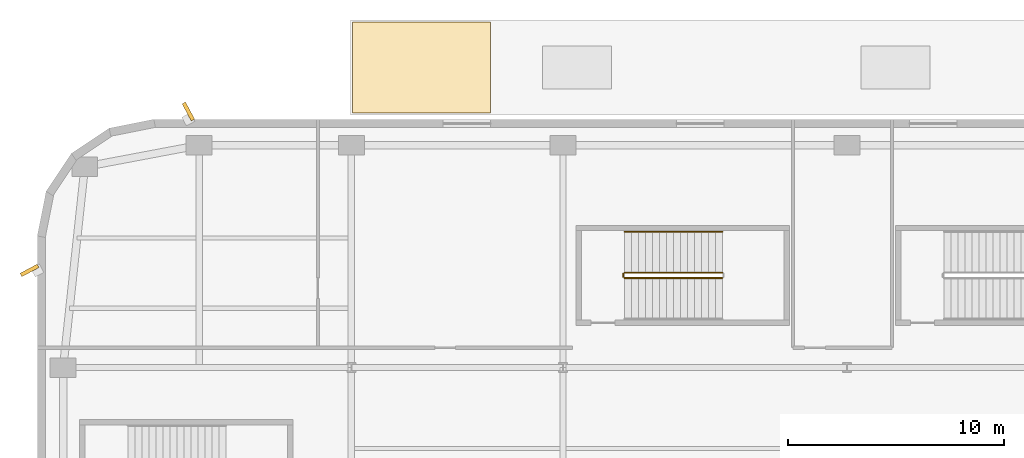
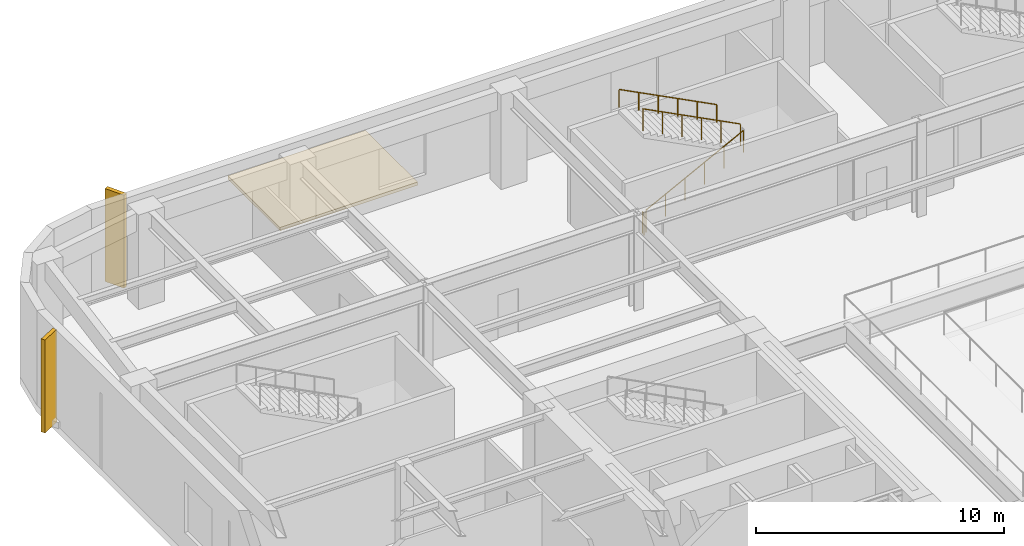
# One storey, part 20 of 24: 4 railings, 2 shading devices, 1 covering.
"""IFC4 building model written with IfcOpenShell, lengths in metres."""

from ifc_helpers import new_model, si_unit, direction, frame, origin, origin_2d, place, context, subcontext, project, spatial, polyline, rectangle, circle, outline, extrude, material, layer, layer_set, type_object, element, save


model = new_model("IFC4")

# Units and contexts
model_context = context("Model", 3, precision=1e-05, world=origin(), true_north=direction((0.0, 1.0)))
body_context = subcontext(model_context, "Body", "Model", "MODEL_VIEW")
ifc_project = project(units=[si_unit("LENGTHUNIT", "METRE"), si_unit("AREAUNIT", "SQUARE_METRE"), si_unit("VOLUMEUNIT", "CUBIC_METRE"), si_unit("PLANEANGLEUNIT", "RADIAN"), si_unit("MASSUNIT", "GRAM", prefix="KILO")], contexts=[model_context])

# Site, building, storey
site_placement = place(None, origin())
site = spatial("IfcSite", under=ifc_project, at=site_placement, CompositionType="ELEMENT")
building_placement = place(site_placement, origin())
building = spatial("IfcBuilding", under=site, at=building_placement, Name="Kolvaren Arena Tower", CompositionType="ELEMENT")
storey_placement = place(building_placement, frame((0.0, 0.0, 8.0)))
storey = spatial("IfcBuildingStorey", under=building, at=storey_placement, Name="L01", CompositionType="ELEMENT", Elevation=8.0)

# Railings
ifc_material_1 = material(Name="Painted galvanized steel", Category="steel")
railing_type_1 = type_object("IfcRailingType", Name="GUARD-ST-110", PredefinedType="GUARDRAIL", material=ifc_material_1)
railing_1_placement = place(storey_placement, frame((27.199951171875, 47.14990234375, 0.166748046875)))
element("IfcRailing", 1, at=railing_1_placement, inside=storey, type_object=railing_type_1, Name="L01 ST-A6 stair guard 1", PredefinedType="GUARDRAIL", context=body_context, shape_type="SweptSolid", body=[
    extrude(circle(Radius=0.02392578125, at=origin_2d()), frame((0.0, 0.0, 1.076171875), z_axis=(0.889257211316, 0.0, 0.457407490234), x_axis=(0.0, 1.0, 0.0)), (0.0, 0.0, 1.0), 5.10107421875),
    extrude(circle(Radius=0.02099609375, at=origin_2d()), origin(), (0.0, 0.0, 1.0), 1.052001953125),
    extrude(circle(Radius=0.02099609375, at=origin_2d()), frame((0.9072265625, 0.0, 0.466552734375)), (0.0, 0.0, 1.0), 1.052001953125),
    extrude(circle(Radius=0.02099609375, at=origin_2d()), frame((1.814453125, 0.0, 0.933349609375)), (0.0, 0.0, 1.0), 1.052001953125),
    extrude(circle(Radius=0.02099609375, at=origin_2d()), frame((2.7216796875, 0.0, 1.39990234375)), (0.0, 0.0, 1.0), 1.052001953125),
    extrude(circle(Radius=0.02099609375, at=origin_2d()), frame((3.62890625, 0.0, 1.86669921875)), (0.0, 0.0, 1.0), 1.052001953125),
    extrude(circle(Radius=0.02099609375, at=origin_2d()), frame((4.5361328125, 0.0, 2.333251953125)), (0.0, 0.0, 1.0), 1.052001953125),
])
railing_2_placement = place(storey_placement, frame((31.736083984375, 47.39990234375, 2.666748046875)))
element("IfcRailing", 2, at=railing_2_placement, inside=storey, type_object=railing_type_1, Name="L01 ST-A6 stair guard 3", PredefinedType="GUARDRAIL", context=body_context, shape_type="SweptSolid", body=[
    extrude(circle(Radius=0.02392578125, at=origin_2d()), frame((0.0, 0.0, 1.076171875), z_axis=(-0.889257211316, 0.0, 0.457407490234), x_axis=(0.0, -1.0, 0.0)), (0.0, 0.0, 1.0), 5.10107421875),
    extrude(circle(Radius=0.02099609375, at=origin_2d()), origin(), (0.0, 0.0, 1.0), 1.052001953125),
    extrude(circle(Radius=0.02099609375, at=origin_2d()), frame((-0.9072265625, 0.0, 0.466552734375)), (0.0, 0.0, 1.0), 1.052001953125),
    extrude(circle(Radius=0.02099609375, at=origin_2d()), frame((-1.814453125, 0.0, 0.933349609375)), (0.0, 0.0, 1.0), 1.052001953125),
    extrude(circle(Radius=0.02099609375, at=origin_2d()), frame((-2.7216796875, 0.0, 1.39990234375)), (0.0, 0.0, 1.0), 1.052001953125),
    extrude(circle(Radius=0.02099609375, at=origin_2d()), frame((-3.62890625, 0.0, 1.86669921875)), (0.0, 0.0, 1.0), 1.052001953125),
    extrude(circle(Radius=0.02099609375, at=origin_2d()), frame((-4.5361328125, 0.0, 2.333251953125)), (0.0, 0.0, 1.0), 1.052001953125),
])
railing_3_placement = place(storey_placement, frame((27.14990234375, 47.199951171875, 0.0)))
element("IfcRailing", 3, at=railing_3_placement, inside=storey, type_object=railing_type_1, Name="L01 ST-A6 stair guard 4", PredefinedType="GUARDRAIL", context=body_context, shape_type="SweptSolid", body=[
    extrude(circle(Radius=0.02392578125, at=origin_2d()), frame((0.0, 0.0, 1.076171875), z_axis=(0.0, 1.0, 0.0), x_axis=(-1.0, 0.0, 0.0)), (0.0, 0.0, 1.0), 0.150146484375),
    extrude(circle(Radius=0.02099609375, at=origin_2d()), origin(), (0.0, 0.0, 1.0), 1.052001953125),
    extrude(circle(Radius=0.02099609375, at=origin_2d()), frame((0.0, 0.150146484375, 0.0)), (0.0, 0.0, 1.0), 1.052001953125),
])
ifc_material_2 = material(Name="Brushed stainless steel handrail", Category="steel")
railing_type_2 = type_object("IfcRailingType", Name="HRAIL-900", PredefinedType="HANDRAIL", material=ifc_material_2)
railing_4_placement = place(storey_placement, frame((31.736083984375, 49.300048828125, 2.666748046875)))
element("IfcRailing", 4, at=railing_4_placement, inside=storey, type_object=railing_type_2, Name="L01 ST-A6 stair handrail 2", PredefinedType="HANDRAIL", context=body_context, shape_type="SweptSolid", body=[
    extrude(circle(Radius=0.02392578125, at=origin_2d()), frame((0.0, 0.0, 0.8759765625), z_axis=(-0.889257211316, 0.0, 0.457407490234), x_axis=(0.0, -1.0, 0.0)), (0.0, 0.0, 1.0), 5.10107421875),
    extrude(circle(Radius=0.02099609375, at=origin_2d()), origin(), (0.0, 0.0, 1.0), 0.851806640625),
    extrude(circle(Radius=0.02099609375, at=origin_2d()), frame((-0.9072265625, 0.0, 0.466552734375)), (0.0, 0.0, 1.0), 0.851806640625),
    extrude(circle(Radius=0.02099609375, at=origin_2d()), frame((-1.814453125, 0.0, 0.933349609375)), (0.0, 0.0, 1.0), 0.851806640625),
    extrude(circle(Radius=0.02099609375, at=origin_2d()), frame((-2.7216796875, 0.0, 1.39990234375)), (0.0, 0.0, 1.0), 0.851806640625),
    extrude(circle(Radius=0.02099609375, at=origin_2d()), frame((-3.62890625, 0.0, 1.86669921875)), (0.0, 0.0, 1.0), 0.851806640625),
    extrude(circle(Radius=0.02099609375, at=origin_2d()), frame((-4.5361328125, 0.0, 2.333251953125)), (0.0, 0.0, 1.0), 0.851806640625),
])

# Covering
ifc_material_3 = material(Name="Insulated cold-climate EPDM roof assembly", Category="concrete")
ifc_layer = layer(ifc_material_3, 0.159912109375)
ifc_layer_set = layer_set([ifc_layer], Name="Insulated cold-climate EPDM roof assembly")
covering_type = type_object("IfcCoveringType", Name="ROOF-MEM-1", PredefinedType="ROOFING", material=ifc_layer_set)
covering_placement = place(storey_placement, origin())
element("IfcCovering", 5, at=covering_placement, inside=storey, type_object=covering_type, Name="Cold-Climate Insulated EPDM Roof Assembly 5 (L01)", PredefinedType="ROOFING", context=body_context, shape_type="SweptSolid", body=[
    extrude(outline(polyline([(14.60009765625, 54.800048828125), (21.0, 54.800048828125), (21.0, 59.0), (14.60009765625, 59.0), (14.60009765625, 54.800048828125)])), origin(), (0.0, 0.0, 1.0), 0.159912109375),
])

# Shading devices
ifc_material_4 = material(Name="Precast architectural concrete C50/60 rib fin", Category="concrete")
shading_device_type = type_object("IfcShadingDeviceType", Name="SHAD-FIN-28", PredefinedType="USERDEFINED", material=ifc_material_4)
for number, where, z_axis, x_axis, name in (
    (6, (7.0, 54.860107421875, 0.02001953125), (0.0, 0.0, 1.0), (-0.469471562786, 0.882947592859, 0.0), "Arena Podium 28-Deg Precast Fin (L01)"),
    (7, (-0.360107421875, 47.5, 0.02001953125), (0.0, 0.0, 1.0), (-0.882947592859, -0.469471562786, 0.0), "Arena Podium 28-Deg Precast Fin (L01)"),
):
    element("IfcShadingDevice", number, at=place(storey_placement, frame(where, z_axis=z_axis, x_axis=x_axis)), inside=storey, type_object=shading_device_type, Name=name, ObjectType="FIN", PredefinedType="USERDEFINED", context=body_context, shape_type="SweptSolid", body=[
        extrude(rectangle(XDim=0.89990234375, YDim=0.179931640625, at=origin_2d()), origin(), (0.0, 0.0, 1.0), 4.570068359375),
    ])

save(model, "model.ifc")
